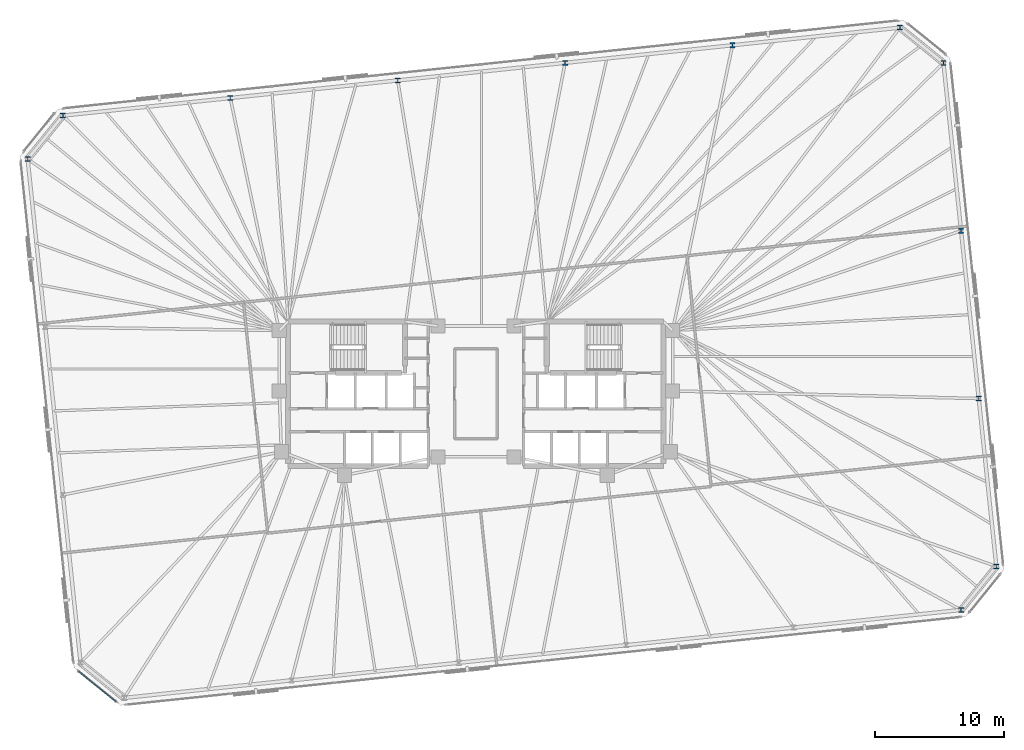
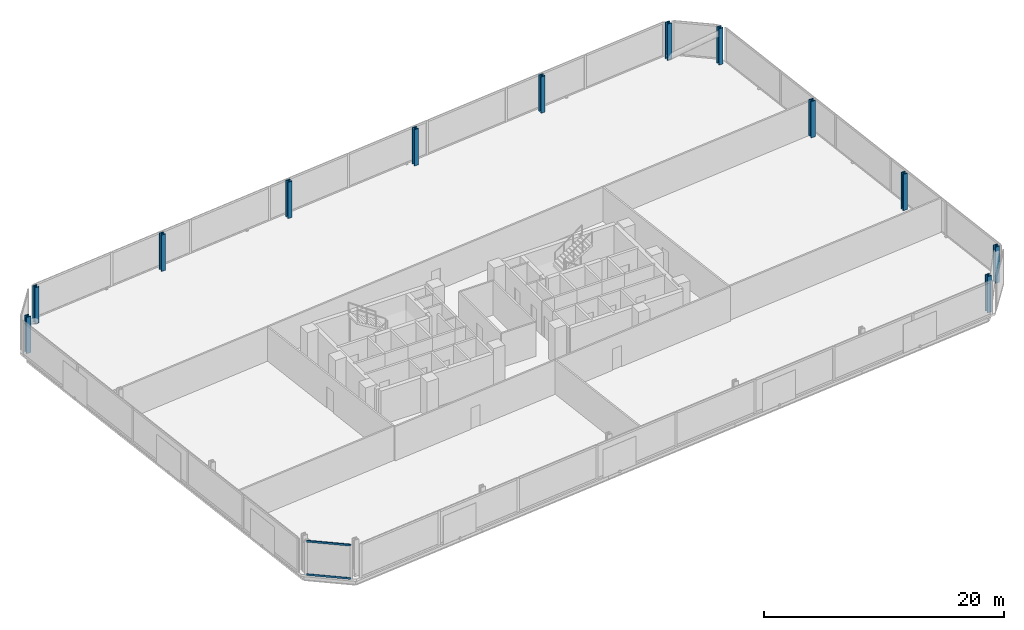
# One storey, part 5 of 17: 12 columns, 2 members, 1 element without a shape of its own.
"""IFC4 building model written with IfcOpenShell, lengths in metres."""

from ifc_helpers import new_model, si_unit, direction, frame, origin, origin_2d, place, context, subcontext, project, spatial, rectangle, i_section, extrude, material, material_profile, profile_set, type_object, element, aggregate, save


model = new_model("IFC4")

# Units and contexts
model_context = context("Model", 3, precision=1e-05, world=origin(), true_north=direction((0.0, 1.0)))
body_context = subcontext(model_context, "Body", "Model", "MODEL_VIEW")
ifc_project = project(units=[si_unit("LENGTHUNIT", "METRE"), si_unit("AREAUNIT", "SQUARE_METRE"), si_unit("VOLUMEUNIT", "CUBIC_METRE"), si_unit("PLANEANGLEUNIT", "RADIAN"), si_unit("MASSUNIT", "GRAM", prefix="KILO")], contexts=[model_context])

# Site, building, storey
site_placement = place(None, origin())
site = spatial("IfcSite", under=ifc_project, at=site_placement, CompositionType="ELEMENT")
building_placement = place(site_placement, origin())
building = spatial("IfcBuilding", under=site, at=building_placement, Name="Menara Jurai Vektor", CompositionType="ELEMENT")
storey_placement = place(building_placement, frame((0.0, 0.0, 131.800048828125)))
storey = spatial("IfcBuildingStorey", under=building, at=storey_placement, Name="L33", CompositionType="ELEMENT", Elevation=131.800048828125)

# Columns
ifc_material_1 = material(Name="Steel S460", Category="steel")
ifc_material_profile_1 = material_profile(ifc_material_1, i_section(OverallWidth=0.4130859375, OverallDepth=0.39794921875, WebThickness=0.055908203125, FlangeThickness=0.089111328125, FilletRadius=0.014892578125, at=origin_2d()), Name="HD 400x744")
ifc_profile_set_1 = profile_set([ifc_material_profile_1], Name="Steel S460")
column_type = type_object("IfcColumnType", Name="STR-EXO-BLK2", PredefinedType="COLUMN", material=ifc_profile_set_1)
for number, where, z_axis, x_axis, name in (
    (1, (37.621826171875, -16.76513671875, 0.0), (0.0, 0.0, 1.0), (1.0, 0.0, 0.0), "Exoskeleton Column BLK2-S6 L33"),
    (2, (40.356201171875, -13.388671875, 0.0), (0.0, 0.0, 1.0), (1.0, 0.0, 0.0), "Exoskeleton Column BLK2-E1 L33"),
    (3, (38.98828125, -0.375, 0.0), (0.0, 0.0, 1.0), (1.0, 0.0, 0.0), "Exoskeleton Column BLK2-E2 L33"),
    (4, (37.62060546875, 12.638427734375, 0.0), (0.0, 0.0, 1.0), (1.0, 0.0, 0.0), "Exoskeleton Column BLK2-E3 L33"),
    (5, (36.252685546875, 25.65185546875, 0.0), (0.0, 0.0, 1.0), (1.0, 0.0, 0.0), "Exoskeleton Column BLK2-E4 L33"),
    (6, (32.876220703125, 28.38623046875, 0.0), (0.0, 0.0, 1.0), (1.0, 0.0, 0.0), "Exoskeleton Column BLK2-N1 L33"),
    (7, (19.896728515625, 27.02197265625, 0.0), (0.0, 0.0, 1.0), (1.0, 0.0, 0.0), "Exoskeleton Column BLK2-N2 L33"),
    (8, (6.9169921875, 25.65771484375, 0.0), (0.0, 0.0, 1.0), (1.0, 0.0, 0.0), "Exoskeleton Column BLK2-N3 L33"),
    (9, (-6.0625, 24.29345703125, 0.0), (0.0, 0.0, 1.0), (1.0, 0.0, 0.0), "Exoskeleton Column BLK2-N4 L33"),
    (10, (-19.042236328125, 22.929443359375, 0.0), (0.0, 0.0, 1.0), (1.0, 0.0, 0.0), "Exoskeleton Column BLK2-N5 L33"),
    (11, (-32.02197265625, 21.565185546875, 0.0), (0.0, 0.0, 1.0), (1.0, 0.0, 0.0), "Exoskeleton Column BLK2-N6 L33"),
    (12, (-34.756103515625, 18.188720703125, 0.0), (0.0, 0.0, 1.0), (1.0, 0.0, 0.0), "Exoskeleton Column BLK2-W1 L33"),
):
    element("IfcColumn", number, at=place(storey_placement, frame(where, z_axis=z_axis, x_axis=x_axis)), inside=storey, type_object=column_type, Name=name, PredefinedType="COLUMN", context=body_context, shape_type="SweptSolid", body=[
        extrude(i_section(OverallWidth=0.4130859375, OverallDepth=0.39794921875, WebThickness=0.055908203125, FlangeThickness=0.089111328125, FilletRadius=0.014892578125, at=origin_2d()), origin(), (0.0, 0.0, 1.0), 3.699951171875),
    ])

# Curtain wall, members
ifc_material_2 = material(Name="Anodised Pale Aluminium & Low-E Double Glazing", Category="aluminium")
curtain_wall_type = type_object("IfcCurtainWallType", Name="CW-BLK2", PredefinedType="NOTDEFINED", material=ifc_material_2)
curtain_wall_placement = place(storey_placement, origin())
curtain_wall = element("IfcCurtainWall", 13, at=curtain_wall_placement, inside=storey, type_object=curtain_wall_type, Name="Unitised Curtain Wall L33 F08", PredefinedType="NOTDEFINED")
ifc_material_3 = material(Name="Anodised Pale Aluminium Transom", Category="aluminium")
ifc_material_profile_2 = material_profile(ifc_material_3, rectangle(XDim=0.090087890625, YDim=0.18505859375, at=origin_2d()), Name="ALU TRN 90x185")
ifc_profile_set_2 = profile_set([ifc_material_profile_2], Name="Anodised Pale Aluminium Transom")
member_type = type_object("IfcMemberType", Name="CW-BLK2-TRN", PredefinedType="USERDEFINED", material=ifc_profile_set_2)
member_1_placement = place(storey_placement, frame((-30.80078125, -21.525634765625, 0.044921875), z_axis=(0.777128916205, -0.6293414396, 0.0), x_axis=(0.6293414396, 0.777128916205, 0.0)))
member_1 = element("IfcMember", 14, at=member_1_placement, type_object=member_type, Name="CW-02 transom 1.1", ObjectType="TRANSOM", PredefinedType="USERDEFINED", context=body_context, shape_type="SweptSolid", body=[
    extrude(rectangle(XDim=0.090087890625, YDim=0.18505859375, at=origin_2d()), origin(), (0.0, 0.0, 1.0), 3.726806640625),
])
member_2_placement = place(storey_placement, frame((-30.80078125, -21.525634765625, 3.429931640625), z_axis=(0.777128916205, -0.6293414396, 0.0), x_axis=(0.6293414396, 0.777128916205, 0.0)))
member_2 = element("IfcMember", 15, at=member_2_placement, type_object=member_type, Name="CW-02 transom 1.2", ObjectType="TRANSOM", PredefinedType="USERDEFINED", context=body_context, shape_type="SweptSolid", body=[
    extrude(rectangle(XDim=0.090087890625, YDim=0.18505859375, at=origin_2d()), origin(), (0.0, 0.0, 1.0), 3.726806640625),
])
aggregate(curtain_wall, [member_1, member_2])

save(model, "model.ifc")
